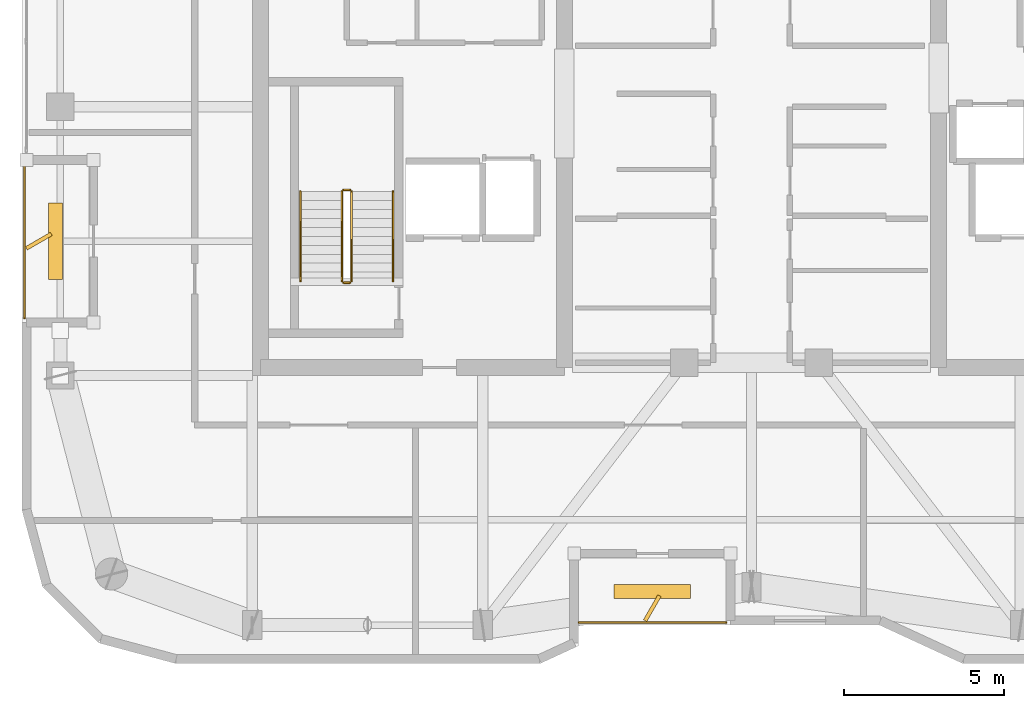
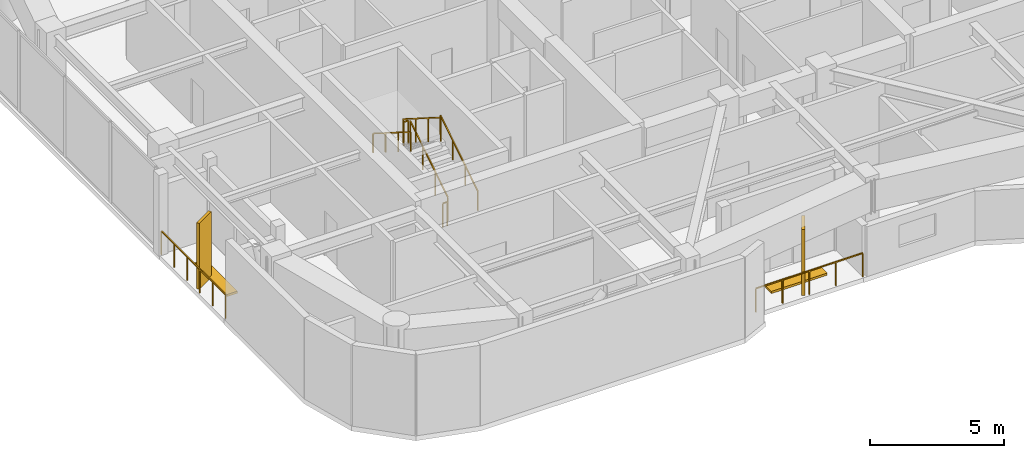
# One storey, part 15 of 16: 8 railings, 4 shading devices.
"""IFC4 building model written with IfcOpenShell, lengths in metres."""

from ifc_helpers import new_model, si_unit, direction, frame, origin, origin_2d, place, context, subcontext, project, spatial, rectangle, extrude, material, type_object, element, save


model = new_model("IFC4")

# Units and contexts
model_context = context("Model", 3, precision=1e-05, world=origin(), true_north=direction((0.0, 1.0)))
body_context = subcontext(model_context, "Body", "Model", "MODEL_VIEW")
ifc_project = project(units=[si_unit("LENGTHUNIT", "METRE"), si_unit("AREAUNIT", "SQUARE_METRE"), si_unit("VOLUMEUNIT", "CUBIC_METRE"), si_unit("PLANEANGLEUNIT", "RADIAN"), si_unit("MASSUNIT", "GRAM", prefix="KILO")], contexts=[model_context])

# Site, building, storey
site_placement = place(None, origin())
site = spatial("IfcSite", under=ifc_project, at=site_placement, CompositionType="ELEMENT")
building_placement = place(site_placement, origin())
building = spatial("IfcBuilding", under=site, at=building_placement, Name="Kiyonajd Concourse Tower", CompositionType="ELEMENT")
storey_placement = place(building_placement, frame((0.0, 0.0, 329.699951171875)))
storey = spatial("IfcBuildingStorey", under=building, at=storey_placement, Name="L83", CompositionType="ELEMENT", Elevation=329.699951171875)

# Railings
ifc_material_1 = material(Name="Thermally Broken Anodised Aluminium", Category="aluminium")
railing_type_1 = type_object("IfcRailingType", Name="RL-GRD-LOG", PredefinedType="GUARDRAIL", material=ifc_material_1)
railing_1_placement = place(storey_placement, frame((42.60009765625, 19.8798828125, 0.0)))
element("IfcRailing", 1, at=railing_1_placement, inside=storey, type_object=railing_type_1, Name="L83 Engawa Loggia Perimeter Guard LOG-S", PredefinedType="GUARDRAIL", context=body_context, shape_type="SweptSolid", body=[
    extrude(rectangle(XDim=0.048095703125, YDim=0.048095703125, at=origin_2d()), frame((0.0, 0.0, 1.076171875), z_axis=(1.0, 0.0, 0.0), x_axis=(0.0, 1.0, 0.0)), (0.0, 0.0, 1.0), 4.599853515625),
    extrude(rectangle(XDim=0.0419921875, YDim=0.0419921875, at=origin_2d()), origin(), (0.0, 0.0, 1.0), 1.052001953125),
    extrude(rectangle(XDim=0.0419921875, YDim=0.0419921875, at=origin_2d()), frame((1.14990234375, 0.0, 0.0)), (0.0, 0.0, 1.0), 1.052001953125),
    extrude(rectangle(XDim=0.0419921875, YDim=0.0419921875, at=origin_2d()), frame((2.2998046875, 0.0, 0.0)), (0.0, 0.0, 1.0), 1.052001953125),
    extrude(rectangle(XDim=0.0419921875, YDim=0.0419921875, at=origin_2d()), frame((3.449951171875, 0.0, 0.0)), (0.0, 0.0, 1.0), 1.052001953125),
    extrude(rectangle(XDim=0.0419921875, YDim=0.0419921875, at=origin_2d()), frame((4.599853515625, 0.0, 0.0)), (0.0, 0.0, 1.0), 1.052001953125),
])
railing_2_placement = place(storey_placement, frame((25.280029296875, 34.199951171875, 0.0)))
element("IfcRailing", 2, at=railing_2_placement, inside=storey, type_object=railing_type_1, Name="L83 Engawa Loggia Perimeter Guard LOG-W", PredefinedType="GUARDRAIL", context=body_context, shape_type="SweptSolid", body=[
    extrude(rectangle(XDim=0.048095703125, YDim=0.048095703125, at=origin_2d()), frame((0.0, 0.0, 1.076171875), z_axis=(0.0, -1.0, 0.0), x_axis=(1.0, 0.0, 0.0)), (0.0, 0.0, 1.0), 4.800048828125),
    extrude(rectangle(XDim=0.0419921875, YDim=0.0419921875, at=origin_2d()), origin(), (0.0, 0.0, 1.0), 1.052001953125),
    extrude(rectangle(XDim=0.0419921875, YDim=0.0419921875, at=origin_2d()), frame((0.0, -0.9599609375, 0.0)), (0.0, 0.0, 1.0), 1.052001953125),
    extrude(rectangle(XDim=0.0419921875, YDim=0.0419921875, at=origin_2d()), frame((0.0, -1.919921875, 0.0)), (0.0, 0.0, 1.0), 1.052001953125),
    extrude(rectangle(XDim=0.0419921875, YDim=0.0419921875, at=origin_2d()), frame((0.0, -2.880126953125, 0.0)), (0.0, 0.0, 1.0), 1.052001953125),
    extrude(rectangle(XDim=0.0419921875, YDim=0.0419921875, at=origin_2d()), frame((0.0, -3.840087890625, 0.0)), (0.0, 0.0, 1.0), 1.052001953125),
    extrude(rectangle(XDim=0.0419921875, YDim=0.0419921875, at=origin_2d()), frame((0.0, -4.800048828125, 0.0)), (0.0, 0.0, 1.0), 1.052001953125),
])
ifc_material_2 = material(Name="Steel ASTM A500 Grade C", Category="steel")
railing_type_2 = type_object("IfcRailingType", Name="RL-GRD-STR", PredefinedType="GUARDRAIL", material=ifc_material_2)
railing_3_placement = place(storey_placement, frame((35.5, 30.550048828125, 0.17724609375)))
element("IfcRailing", 3, at=railing_3_placement, inside=storey, type_object=railing_type_2, Name="L83 ST1 stair guard 1", PredefinedType="GUARDRAIL", context=body_context, shape_type="SweptSolid", body=[
    extrude(rectangle(XDim=0.048095703125, YDim=0.048095703125, at=origin_2d()), frame((0.0, 0.0, 1.076171875), z_axis=(0.0, 0.844908973607, 0.534910110503), x_axis=(-1.0, 0.0, 0.0)), (0.0, 0.0, 1.0), 3.31396484375),
    extrude(rectangle(XDim=0.0419921875, YDim=0.0419921875, at=origin_2d()), origin(), (0.0, 0.0, 1.0), 1.052001953125),
    extrude(rectangle(XDim=0.0419921875, YDim=0.0419921875, at=origin_2d()), frame((0.0, 0.933349609375, 0.5908203125)), (0.0, 0.0, 1.0), 1.052001953125),
    extrude(rectangle(XDim=0.0419921875, YDim=0.0419921875, at=origin_2d()), frame((0.0, 1.86669921875, 1.181884765625)), (0.0, 0.0, 1.0), 1.052001953125),
    extrude(rectangle(XDim=0.0419921875, YDim=0.0419921875, at=origin_2d()), frame((0.0, 2.800048828125, 1.772705078125)), (0.0, 0.0, 1.0), 1.052001953125),
])
railing_4_placement = place(storey_placement, frame((35.449951171875, 33.39990234375, 1.949951171875)))
element("IfcRailing", 4, at=railing_4_placement, inside=storey, type_object=railing_type_2, Name="L83 ST1 stair guard 2", PredefinedType="GUARDRAIL", context=body_context, shape_type="SweptSolid", body=[
    extrude(rectangle(XDim=0.048095703125, YDim=0.048095703125, at=origin_2d()), frame((0.0, 0.0, 1.076171875), z_axis=(-1.0, 0.0, 0.0), x_axis=(0.0, -1.0, 0.0)), (0.0, 0.0, 1.0), 0.199951171875),
    extrude(rectangle(XDim=0.0419921875, YDim=0.0419921875, at=origin_2d()), origin(), (0.0, 0.0, 1.0), 1.052001953125),
    extrude(rectangle(XDim=0.0419921875, YDim=0.0419921875, at=origin_2d()), frame((-0.199951171875, 0.0, 0.0)), (0.0, 0.0, 1.0), 1.052001953125),
])
railing_5_placement = place(storey_placement, frame((35.199951171875, 33.35009765625, 2.12744140625)))
element("IfcRailing", 5, at=railing_5_placement, inside=storey, type_object=railing_type_2, Name="L83 ST1 stair guard 3", PredefinedType="GUARDRAIL", context=body_context, shape_type="SweptSolid", body=[
    extrude(rectangle(XDim=0.048095703125, YDim=0.048095703125, at=origin_2d()), frame((0.0, 0.0, 1.076171875), z_axis=(0.0, -0.844908973607, 0.534910110503), x_axis=(1.0, 0.0, 0.0)), (0.0, 0.0, 1.0), 3.31396484375),
    extrude(rectangle(XDim=0.0419921875, YDim=0.0419921875, at=origin_2d()), origin(), (0.0, 0.0, 1.0), 1.052001953125),
    extrude(rectangle(XDim=0.0419921875, YDim=0.0419921875, at=origin_2d()), frame((0.0, -0.933349609375, 0.5908203125)), (0.0, 0.0, 1.0), 1.052001953125),
    extrude(rectangle(XDim=0.0419921875, YDim=0.0419921875, at=origin_2d()), frame((0.0, -1.86669921875, 1.181884765625)), (0.0, 0.0, 1.0), 1.052001953125),
    extrude(rectangle(XDim=0.0419921875, YDim=0.0419921875, at=origin_2d()), frame((0.0, -2.800048828125, 1.772705078125)), (0.0, 0.0, 1.0), 1.052001953125),
])
railing_6_placement = place(storey_placement, frame((35.449951171875, 30.5, 0.0)))
element("IfcRailing", 6, at=railing_6_placement, inside=storey, type_object=railing_type_2, Name="L83 ST1 stair guard 4", PredefinedType="GUARDRAIL", context=body_context, shape_type="SweptSolid", body=[
    extrude(rectangle(XDim=0.048095703125, YDim=0.048095703125, at=origin_2d()), frame((0.0, 0.0, 1.076171875), z_axis=(-1.0, 0.0, 0.0), x_axis=(0.0, -1.0, 0.0)), (0.0, 0.0, 1.0), 0.199951171875),
    extrude(rectangle(XDim=0.0419921875, YDim=0.0419921875, at=origin_2d()), origin(), (0.0, 0.0, 1.0), 1.052001953125),
    extrude(rectangle(XDim=0.0419921875, YDim=0.0419921875, at=origin_2d()), frame((-0.199951171875, 0.0, 0.0)), (0.0, 0.0, 1.0), 1.052001953125),
])
ifc_material_3 = material(Name="Brushed Stainless Steel Cab Assembly", Category="steel")
railing_type_3 = type_object("IfcRailingType", Name="RL-HND-900", PredefinedType="HANDRAIL", material=ifc_material_3)
railing_7_placement = place(storey_placement, frame((36.800048828125, 30.550048828125, 0.17724609375)))
element("IfcRailing", 7, at=railing_7_placement, inside=storey, type_object=railing_type_3, Name="L83 ST1 stair handrail 1", PredefinedType="HANDRAIL", context=body_context, shape_type="SweptSolid", body=[
    extrude(rectangle(XDim=0.048095703125, YDim=0.048095703125, at=origin_2d()), frame((0.0, 0.0, 0.8759765625), z_axis=(0.0, 0.844908973607, 0.534910110503), x_axis=(-1.0, 0.0, 0.0)), (0.0, 0.0, 1.0), 3.31396484375),
    extrude(rectangle(XDim=0.0419921875, YDim=0.0419921875, at=origin_2d()), origin(), (0.0, 0.0, 1.0), 0.851806640625),
    extrude(rectangle(XDim=0.0419921875, YDim=0.0419921875, at=origin_2d()), frame((0.0, 0.933349609375, 0.5908203125)), (0.0, 0.0, 1.0), 0.851806640625),
    extrude(rectangle(XDim=0.0419921875, YDim=0.0419921875, at=origin_2d()), frame((0.0, 1.86669921875, 1.181884765625)), (0.0, 0.0, 1.0), 0.851806640625),
    extrude(rectangle(XDim=0.0419921875, YDim=0.0419921875, at=origin_2d()), frame((0.0, 2.800048828125, 1.772705078125)), (0.0, 0.0, 1.0), 0.851806640625),
])
railing_8_placement = place(storey_placement, frame((33.89990234375, 33.35009765625, 2.12744140625)))
element("IfcRailing", 8, at=railing_8_placement, inside=storey, type_object=railing_type_3, Name="L83 ST1 stair handrail 2", PredefinedType="HANDRAIL", context=body_context, shape_type="SweptSolid", body=[
    extrude(rectangle(XDim=0.048095703125, YDim=0.048095703125, at=origin_2d()), frame((0.0, 0.0, 0.8759765625), z_axis=(0.0, -0.844908973607, 0.534910110503), x_axis=(1.0, 0.0, 0.0)), (0.0, 0.0, 1.0), 3.31396484375),
    extrude(rectangle(XDim=0.0419921875, YDim=0.0419921875, at=origin_2d()), origin(), (0.0, 0.0, 1.0), 0.851806640625),
    extrude(rectangle(XDim=0.0419921875, YDim=0.0419921875, at=origin_2d()), frame((0.0, -0.933349609375, 0.5908203125)), (0.0, 0.0, 1.0), 0.851806640625),
    extrude(rectangle(XDim=0.0419921875, YDim=0.0419921875, at=origin_2d()), frame((0.0, -1.86669921875, 1.181884765625)), (0.0, 0.0, 1.0), 0.851806640625),
    extrude(rectangle(XDim=0.0419921875, YDim=0.0419921875, at=origin_2d()), frame((0.0, -2.800048828125, 1.772705078125)), (0.0, 0.0, 1.0), 0.851806640625),
])

# Shading devices
ifc_material_4 = material(Name="Precast concrete C50/60", Category="concrete")
shading_device_type_1 = type_object("IfcShadingDeviceType", Name="SH-FIN-900", PredefinedType="USERDEFINED", material=ifc_material_4)
for number, where, z_axis, x_axis, name in (
    (9, (44.89990234375, 20.330078125, 0.0), (0.0, 0.0, 1.0), (0.5, 0.866025403784, 0.0), "L83 Angled Koshi Solar Fin LOG-S"),
    (10, (25.72998046875, 31.800048828125, 0.0), (0.0, 0.0, 1.0), (0.866025403784, 0.5, 0.0), "L83 Angled Koshi Solar Fin LOG-W"),
):
    element("IfcShadingDevice", number, at=place(storey_placement, frame(where, z_axis=z_axis, x_axis=x_axis)), inside=storey, type_object=shading_device_type_1, Name=name, ObjectType="FIN", PredefinedType="USERDEFINED", context=body_context, shape_type="SweptSolid", body=[
        extrude(rectangle(XDim=0.89990234375, YDim=0.1201171875, at=origin_2d()), origin(), (0.0, 0.0, 1.0), 3.0),
    ])
shading_device_type_2 = type_object("IfcShadingDeviceType", Name="SH-LVR-600", PredefinedType="JALOUSIE", material=ifc_material_1)
for number, where, z_axis, x_axis, name in (
    (11, (44.89990234375, 20.85009765625, 0.0), (0.0, 0.0, 1.0), (1.0, 0.0, 0.0), "L83 Loggia Threshold Louver LOG-S"),
    (12, (26.25, 31.800048828125, 0.0), (0.0, 0.0, 1.0), (0.0, 1.0, 0.0), "L83 Loggia Threshold Louver LOG-W"),
):
    element("IfcShadingDevice", number, at=place(storey_placement, frame(where, z_axis=z_axis, x_axis=x_axis)), inside=storey, type_object=shading_device_type_2, Name=name, PredefinedType="JALOUSIE", context=body_context, shape_type="SweptSolid", body=[
        extrude(rectangle(XDim=2.39990234375, YDim=0.449951171875, at=origin_2d()), origin(), (0.0, 0.0, 1.0), 0.10009765625),
    ])

save(model, "model.ifc")
